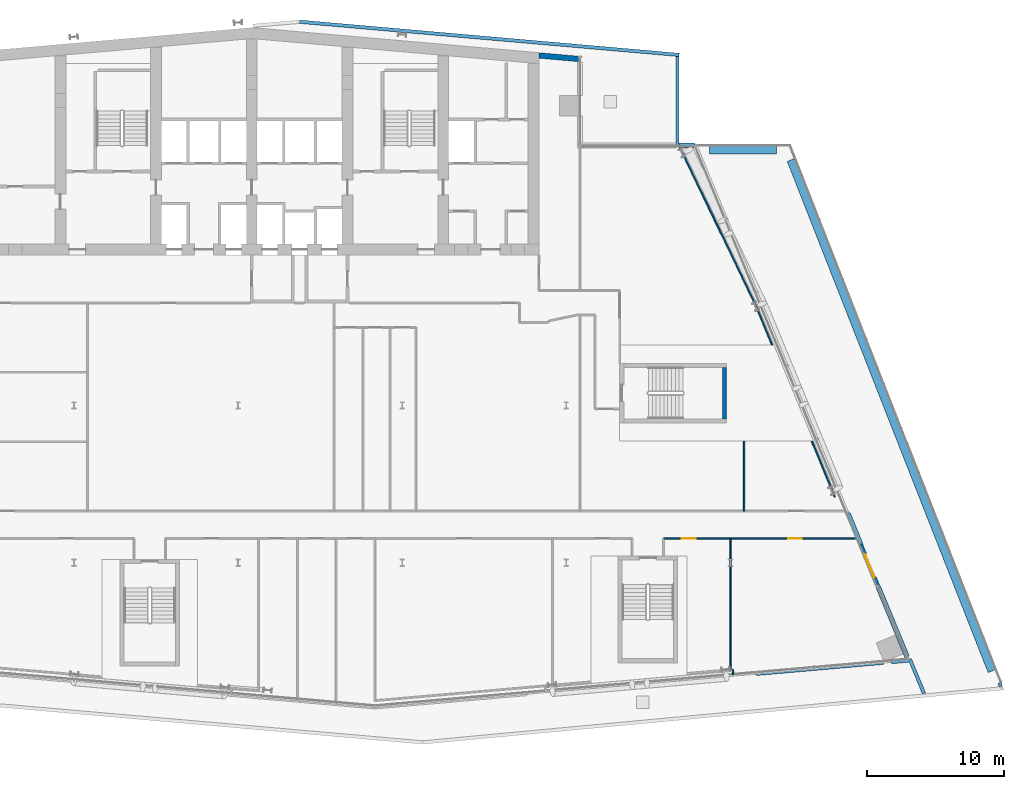
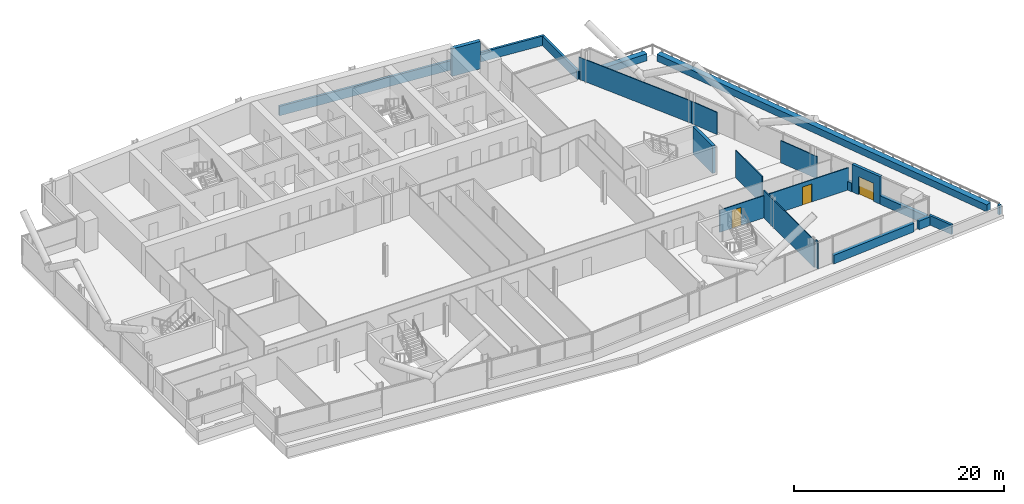
# One storey, part 22 of 30: 21 walls, 3 doors, 3 openings.
"""IFC4 building model written with IfcOpenShell, lengths in metres."""

from ifc_helpers import new_model, si_unit, direction, frame, frame_2d, origin, place, context, subcontext, project, spatial, rectangle, extrude, material, layer, layer_set, type_object, element, fill, save


model = new_model("IFC4")

# Units and contexts
model_context = context("Model", 3, precision=1e-05, world=origin(), true_north=direction((0.0, 1.0)))
body_context = subcontext(model_context, "Body", "Model", "MODEL_VIEW")
ifc_project = project(units=[si_unit("LENGTHUNIT", "METRE"), si_unit("AREAUNIT", "SQUARE_METRE"), si_unit("VOLUMEUNIT", "CUBIC_METRE"), si_unit("PLANEANGLEUNIT", "RADIAN"), si_unit("MASSUNIT", "GRAM", prefix="KILO")], contexts=[model_context])

# Site, building, storey
site_placement = place(None, origin())
site = spatial("IfcSite", under=ifc_project, at=site_placement, CompositionType="ELEMENT")
building_placement = place(site_placement, origin())
building = spatial("IfcBuilding", under=site, at=building_placement, Name="Wharfspan Tower", CompositionType="ELEMENT")
storey_placement = place(building_placement, frame((0.0, 0.0, 151.899902)))
storey = spatial("IfcBuildingStorey", under=building, at=storey_placement, Name="L36", CompositionType="ELEMENT", Elevation=151.899902)

# Wall, openings, doors
ifc_material_1 = material(Name="Gypsum board on steel studs", Category="steel")
ifc_layer_1 = layer(ifc_material_1, 0.100098)
ifc_layer_set_1 = layer_set([ifc_layer_1], Name="Gypsum board on steel studs")
wall_type_1 = type_object("IfcWallType", Name="Compartment wall 100 EI 60", PredefinedType="PARTITIONING", material=ifc_layer_set_1)
wall_1_placement = place(storey_placement, frame((67.110107, 13.264893, 0.0), z_axis=(0.0, 0.0, 1.0), x_axis=(1.0, 0.0, 0.0)))
wall_1 = element("IfcWall", 1, at=wall_1_placement, inside=storey, type_object=wall_type_1, Name="Partition L36.w054", PredefinedType="PARTITIONING", context=body_context, shape_type="SweptSolid", body=[
    extrude(rectangle(XDim=14.208496, YDim=0.100098, at=frame_2d((7.104248, 0.0))), origin(), (0.0, 0.0, 1.0), 2.580078),
])
opening_1_placement = place(wall_1_placement, frame((1.340088, 0.0, 0.0)))
opening_1 = element("IfcOpeningElement", 2, at=opening_1_placement, cuts=wall_1, Name="Opening C1-09", PredefinedType="OPENING", context=body_context, shape_type="SweptSolid", body=[
    extrude(rectangle(XDim=1.0, YDim=2.100098, at=frame_2d((0.5, 1.050049))), frame((0.0, 0.060059, 0.0), z_axis=(0.0, -1.0, 0.0), x_axis=(1.0, 0.0, 0.0)), (0.0, 0.0, 1.0), 0.120117),
])
opening_2_placement = place(wall_1_placement, frame((9.11499, 0.0, 0.0)))
opening_2 = element("IfcOpeningElement", 3, at=opening_2_placement, cuts=wall_1, Name="Opening C1-10", PredefinedType="OPENING", context=body_context, shape_type="SweptSolid", body=[
    extrude(rectangle(XDim=1.0, YDim=2.100098, at=frame_2d((0.5, 1.050049))), frame((0.0, 0.060059, 0.0), z_axis=(0.0, -1.0, 0.0), x_axis=(1.0, 0.0, 0.0)), (0.0, 0.0, 1.0), 0.120117),
])
ifc_material_2 = material(Name="Fire-rated timber door leaf in steel frame", Category="steel")
door_type_1 = type_object("IfcDoorType", Name="Door 1000 FD30S Left", OperationType="SINGLE_SWING_LEFT", PredefinedType="DOOR", material=ifc_material_2)
door_1_placement = place(opening_1_placement, origin())
door_1 = element("IfcDoor", 4, at=door_1_placement, inside=storey, type_object=door_type_1, Name="Door C1-09", OperationType="SINGLE_SWING_LEFT", OverallHeight=2.100098, OverallWidth=1.0, PredefinedType="DOOR", context=body_context, shape_type="SweptSolid", body=[
    extrude(rectangle(XDim=1.0, YDim=2.100098, at=frame_2d((0.5, 1.050049))), frame((0.0, 0.024902, 0.0), z_axis=(0.0, -1.0, 0.0), x_axis=(1.0, 0.0, 0.0)), (0.0, 0.0, 1.0), 0.050049),
])
fill(opening_1, door_1)
door_type_2 = type_object("IfcDoorType", Name="Door 1000 FD30S Right", OperationType="SINGLE_SWING_RIGHT", PredefinedType="DOOR", material=ifc_material_2)
door_2_placement = place(opening_2_placement, origin())
door_2 = element("IfcDoor", 5, at=door_2_placement, inside=storey, type_object=door_type_2, Name="Door C1-10", OperationType="SINGLE_SWING_RIGHT", OverallHeight=2.100098, OverallWidth=1.0, PredefinedType="DOOR", context=body_context, shape_type="SweptSolid", body=[
    extrude(rectangle(XDim=1.0, YDim=2.100098, at=frame_2d((0.5, 1.050049))), frame((0.0, 0.024902, 0.0), z_axis=(0.0, -1.0, 0.0), x_axis=(1.0, 0.0, 0.0)), (0.0, 0.0, 1.0), 0.050049),
])
fill(opening_2, door_2)

# Walls
wall_2_placement = place(storey_placement, frame((72.0, 3.679932, 0.0), z_axis=(0.0, 0.0, 1.0), x_axis=(0.0, 1.0, 0.0)))
element("IfcWall", 6, at=wall_2_placement, inside=storey, type_object=wall_type_1, Name="Partition L36.w056", PredefinedType="PARTITIONING", context=body_context, shape_type="SweptSolid", body=[
    extrude(rectangle(XDim=9.584961, YDim=0.100098, at=frame_2d((4.79248, 0.0))), origin(), (0.0, 0.0, 1.0), 3.200195),
])
wall_3_placement = place(storey_placement, frame((73.0, 15.27002, 0.0), z_axis=(0.0, 0.0, 1.0), x_axis=(0.0, 1.0, 0.0)))
element("IfcWall", 7, at=wall_3_placement, inside=storey, type_object=wall_type_1, Name="Partition L36.w058", PredefinedType="PARTITIONING", context=body_context, shape_type="SweptSolid", body=[
    extrude(rectangle(XDim=5.109863, YDim=0.100098, at=frame_2d((2.554932, 0.0))), origin(), (0.0, 0.0, 1.0), 3.200195),
])

# Wall, opening, door
ifc_material_3 = material(Name="Concrete C40/50", Category="concrete")
ifc_layer_2 = layer(ifc_material_3, 0.300049)
ifc_layer_set_2 = layer_set([ifc_layer_2], Name="Concrete C40/50")
wall_type_2 = type_object("IfcWallType", Name="External door wall 300", PredefinedType="SOLIDWALL", material=ifc_layer_set_2)
wall_4_placement = place(storey_placement, frame((81.518066, 12.833984, 0.0), z_axis=(0.0, 0.0, 1.0), x_axis=(0.381594, -0.924328, 0.0)))
wall_4 = element("IfcWall", 8, at=wall_4_placement, inside=storey, type_object=wall_type_2, Name="Terrace door wall T2E", PredefinedType="SOLIDWALL", context=body_context, shape_type="SweptSolid", body=[
    extrude(rectangle(XDim=3.399902, YDim=0.300049, at=frame_2d((1.699951, 0.0))), origin(), (0.0, 0.0, 1.0), 3.200195),
])
opening_3_placement = place(wall_4_placement, frame((0.800049, 0.0, 0.0)))
opening_3 = element("IfcOpeningElement", 9, at=opening_3_placement, cuts=wall_4, Name="Opening TD-L36", PredefinedType="OPENING", context=body_context, shape_type="SweptSolid", body=[
    extrude(rectangle(XDim=1.800049, YDim=2.100098, at=frame_2d((0.899902, 1.050049))), frame((0.0, 0.159912, 0.0), z_axis=(0.0, -1.0, 0.0), x_axis=(1.0, 0.0, 0.0)), (0.0, 0.0, 1.0), 0.320068),
])
ifc_material_4 = material(Name="Fire-rated glazed door leaf in steel frame", Category="steel")
door_type_3 = type_object("IfcDoorType", Name="Terrace door 1800 FD30S", OperationType="DOUBLE_DOOR_SINGLE_SWING", PredefinedType="DOOR", material=ifc_material_4)
door_3_placement = place(opening_3_placement, origin())
door_3 = element("IfcDoor", 10, at=door_3_placement, inside=storey, type_object=door_type_3, Name="Terrace door L36", OperationType="DOUBLE_DOOR_SINGLE_SWING", OverallHeight=2.100098, OverallWidth=1.800049, PredefinedType="DOOR", context=body_context, shape_type="SweptSolid", body=[
    extrude(rectangle(XDim=1.800049, YDim=2.100098, at=frame_2d((0.899902, 1.050049))), frame((0.0, 0.024902, 0.0), z_axis=(0.0, -1.0, 0.0), x_axis=(1.0, 0.0, 0.0)), (0.0, 0.0, 1.0), 0.050049),
])
fill(opening_3, door_3)

# Walls
ifc_layer_3 = layer(ifc_material_3, 0.25)
ifc_layer_set_3 = layer_set([ifc_layer_3], Name="Concrete C40/50")
wall_type_3 = type_object("IfcWallType", Name="PARAPET CONCRETE 250", PredefinedType="PARAPET", material=ifc_layer_set_3)
wall_5_placement = place(storey_placement, frame((85.115479, 4.447754, 0.0), z_axis=(0.0, 0.0, 1.0), x_axis=(0.381619, -0.924318, 0.0)))
element("IfcWall", 11, at=wall_5_placement, inside=storey, type_object=wall_type_3, Name="Ledge parapet", PredefinedType="PARAPET", context=body_context, shape_type="SweptSolid", body=[
    extrude(rectangle(XDim=2.709961, YDim=0.25, at=frame_2d((1.35498, 0.0))), origin(), (0.0, 0.0, 1.0), 1.100098),
])
wall_6_placement = place(storey_placement, frame((40.5, 51.056396, 0.0), z_axis=(0.0, 0.0, 1.0), x_axis=(0.996199, -0.087155, 0.0)))
element("IfcWall", 12, at=wall_6_placement, inside=storey, type_object=wall_type_3, Name="Ledge parapet", PredefinedType="PARAPET", context=body_context, shape_type="SweptSolid", body=[
    extrude(rectangle(XDim=27.855469, YDim=0.25, at=frame_2d((13.927734, 0.0))), origin(), (0.0, 0.0, 1.0), 1.100098),
])
wall_7_placement = place(storey_placement, frame((68.125, 48.504395, 0.0), z_axis=(0.0, 0.0, 1.0), x_axis=(0.0, -1.0, 0.0)))
element("IfcWall", 13, at=wall_7_placement, inside=storey, type_object=wall_type_3, Name="Ledge parapet", PredefinedType="PARAPET", context=body_context, shape_type="SweptSolid", body=[
    extrude(rectangle(XDim=6.504395, YDim=0.25, at=frame_2d((3.252197, 0.0))), origin(), (0.0, 0.0, 1.0), 1.100098),
])
wall_8_placement = place(storey_placement, frame((91.762939, 2.461426, 0.0), z_axis=(0.0, 0.0, 1.0), x_axis=(-0.365457, 0.93083, 0.0)))
element("IfcWall", 14, at=wall_8_placement, inside=storey, type_object=wall_type_3, Name="Ledge parapet", PredefinedType="PARAPET", context=body_context, shape_type="SweptSolid", body=[
    extrude(rectangle(XDim=0.269775, YDim=0.25, at=frame_2d((0.134766, 0.0))), origin(), (0.0, 0.0, 1.0), 1.100098),
])
ifc_layer_4 = layer(ifc_material_3, 0.600098)
ifc_layer_set_4 = layer_set([ifc_layer_4], Name="Concrete C40/50")
wall_type_4 = type_object("IfcWallType", Name="PLANTER CONCRETE 600", PredefinedType="SOLIDWALL", material=ifc_layer_set_4)
wall_9_placement = place(storey_placement, frame((70.477051, 41.679932, 0.0), z_axis=(0.0, 0.0, 1.0), x_axis=(1.0, 0.0, 0.0)))
element("IfcWall", 15, at=wall_9_placement, inside=storey, type_object=wall_type_4, Name="Planter", PredefinedType="SOLIDWALL", context=body_context, shape_type="SweptSolid", body=[
    extrude(rectangle(XDim=4.881104, YDim=0.600098, at=frame_2d((2.44043, 0.0))), origin(), (0.0, 0.0, 1.0), 0.800049),
])
wall_10_placement = place(storey_placement, frame((76.426025, 40.952148, 0.0), z_axis=(0.0, 0.0, 1.0), x_axis=(0.365779, -0.930702, 0.0)))
element("IfcWall", 16, at=wall_10_placement, inside=storey, type_object=wall_type_4, Name="Planter", PredefinedType="SOLIDWALL", context=body_context, shape_type="SweptSolid", body=[
    extrude(rectangle(XDim=40.16333, YDim=0.600098, at=frame_2d((20.081543, 0.0))), origin(), (0.0, 0.0, 1.0), 0.800049),
])
ifc_layer_5 = layer(ifc_material_1, 0.100098)
ifc_layer_set_5 = layer_set([ifc_layer_5], Name="Gypsum board on steel studs")
wall_type_5 = type_object("IfcWallType", Name="Partition 100", PredefinedType="PARTITIONING", material=ifc_layer_set_5)
wall_11_placement = place(storey_placement, frame((72.198242, 3.300049, 0.0), z_axis=(0.0, 0.0, 1.0), x_axis=(-0.083759, 0.996486, 0.0)))
element("IfcWall", 17, at=wall_11_placement, inside=storey, type_object=wall_type_5, Name="Partition L36.w057", PredefinedType="PARTITIONING", context=body_context, shape_type="SweptSolid", body=[
    extrude(rectangle(XDim=0.396484, YDim=0.100098, at=frame_2d((0.198242, 0.0))), origin(), (0.0, 0.0, 1.0), 3.200195),
])
wall_12_placement = place(storey_placement, frame((73.88501, 30.22998, 0.0), z_axis=(0.0, 0.0, 1.0), x_axis=(-0.432489, 0.901635, 0.0)))
element("IfcWall", 18, at=wall_12_placement, inside=storey, type_object=wall_type_5, Name="Partition L36.w059", PredefinedType="PARTITIONING", context=body_context, shape_type="SweptSolid", body=[
    extrude(rectangle(XDim=13.067139, YDim=0.100098, at=frame_2d((6.533691, 0.0))), origin(), (0.0, 0.0, 1.0), 2.580078),
])
wall_13_placement = place(storey_placement, frame((75.046631, 27.419922, 0.0), z_axis=(0.0, 0.0, 1.0), x_axis=(-0.382024, 0.924148, 0.0)))
element("IfcWall", 19, at=wall_13_placement, inside=storey, type_object=wall_type_5, Name="Partition L36.w060", PredefinedType="PARTITIONING", context=body_context, shape_type="SweptSolid", body=[
    extrude(rectangle(XDim=3.040771, YDim=0.100098, at=frame_2d((1.520508, 0.0))), origin(), (0.0, 0.0, 1.0), 2.580078),
])
wall_14_placement = place(storey_placement, frame((79.629883, 16.310059, 0.0), z_axis=(0.0, 0.0, 1.0), x_axis=(-0.380933, 0.9246, 0.0)))
element("IfcWall", 20, at=wall_14_placement, inside=storey, type_object=wall_type_5, Name="Partition L36.w061", PredefinedType="PARTITIONING", context=body_context, shape_type="SweptSolid", body=[
    extrude(rectangle(XDim=4.401611, YDim=0.100098, at=frame_2d((2.200684, 0.0))), origin(), (0.0, 0.0, 1.0), 2.580078),
])
ifc_layer_6 = layer(ifc_material_3, 0.350098)
ifc_layer_set_6 = layer_set([ifc_layer_6], Name="Concrete C40/50")
wall_type_6 = type_object("IfcWallType", Name="SPANDREL EXPOSED CONCRETE 350", PredefinedType="SOLIDWALL", material=ifc_layer_set_6)
wall_15_placement = place(storey_placement, frame((73.887451, 3.422852, 0.0), z_axis=(0.0, 0.0, 1.0), x_axis=(0.996197, 0.087145, 0.0)))
element("IfcWall", 21, at=wall_15_placement, inside=storey, type_object=wall_type_6, Name="Spandrel upstand L36 S2 2", PredefinedType="SOLIDWALL", context=body_context, shape_type="SweptSolid", body=[
    extrude(rectangle(XDim=9.323486, YDim=0.350098, at=frame_2d((4.661621, 0.0))), origin(), (0.0, 0.0, 1.0), 1.0),
])
wall_16_placement = place(storey_placement, frame((83.744629, 4.285156, 0.0), z_axis=(0.0, 0.0, 1.0), x_axis=(0.996198, 0.087148, 0.0)))
element("IfcWall", 22, at=wall_16_placement, inside=storey, type_object=wall_type_6, Name="Spandrel upstand L36 S2 3", PredefinedType="SOLIDWALL", context=body_context, shape_type="SweptSolid", body=[
    extrude(rectangle(XDim=1.260742, YDim=0.350098, at=frame_2d((0.630371, 0.0))), origin(), (0.0, 0.0, 1.0), 1.0),
])
wall_17_placement = place(storey_placement, frame((84.91626, 4.615967, 0.0), z_axis=(0.0, 0.0, 1.0), x_axis=(-0.381607, 0.924328, 0.0)))
element("IfcWall", 23, at=wall_17_placement, inside=storey, type_object=wall_type_6, Name="Spandrel upstand L36 E", PredefinedType="SOLIDWALL", context=body_context, shape_type="SweptSolid", body=[
    extrude(rectangle(XDim=5.493164, YDim=0.350098, at=frame_2d((2.746582, 0.0))), origin(), (0.0, 0.0, 1.0), 1.0),
])
wall_18_placement = place(storey_placement, frame((81.522705, 12.835938, 0.0), z_axis=(0.0, 0.0, 1.0), x_axis=(-0.381585, 0.924332, 0.0)))
element("IfcWall", 24, at=wall_18_placement, inside=storey, type_object=wall_type_6, Name="Spandrel upstand L36 E 2", PredefinedType="SOLIDWALL", context=body_context, shape_type="SweptSolid", body=[
    extrude(rectangle(XDim=2.467773, YDim=0.350098, at=frame_2d((1.233887, 0.0))), origin(), (0.0, 0.0, 1.0), 1.0),
])
wall_19_placement = place(storey_placement, frame((69.366211, 42.004883, 0.0), z_axis=(0.0, 0.0, 1.0), x_axis=(-1.0, 0.0, 0.0)))
element("IfcWall", 25, at=wall_19_placement, inside=storey, type_object=wall_type_6, Name="Spandrel upstand L36 NRE-H", PredefinedType="SOLIDWALL", context=body_context, shape_type="SweptSolid", body=[
    extrude(rectangle(XDim=1.116211, YDim=0.350098, at=frame_2d((0.558105, 0.0))), origin(), (0.0, 0.0, 1.0), 1.0),
])
ifc_layer_7 = layer(ifc_material_3, 0.300049)
ifc_layer_set_7 = layer_set([ifc_layer_7], Name="Concrete C40/50")
wall_type_7 = type_object("IfcWallType", Name="Stair core wall 300", PredefinedType="SHEAR", material=ifc_layer_set_7)
wall_20_placement = place(storey_placement, frame((71.554688, 22.024902, 0.0), z_axis=(0.0, 0.0, 1.0), x_axis=(0.0, 1.0, 0.0)))
element("IfcWall", 26, at=wall_20_placement, inside=storey, type_object=wall_type_7, Name="ST6 stair enclosure wall L36", PredefinedType="SHEAR", context=body_context, shape_type="SweptSolid", body=[
    extrude(rectangle(XDim=3.75, YDim=0.300049, at=frame_2d((1.875, 0.0))), origin(), (0.0, 0.0, 1.0), 3.200195),
])
ifc_layer_8 = layer(ifc_material_3, 0.399902)
ifc_layer_set_8 = layer_set([ifc_layer_8], Name="Concrete C40/50")
wall_type_8 = type_object("IfcWallType", Name="WALL EXPOSED CONCRETE 400", PredefinedType="SOLIDWALL", material=ifc_layer_set_8)
wall_21_placement = place(storey_placement, frame((60.982666, 48.325684, 0.0), z_axis=(0.0, 0.0, 1.0), x_axis=(-0.996194, 0.087168, 0.0)))
element("IfcWall", 27, at=wall_21_placement, inside=storey, type_object=wall_type_8, Name="Rear wall N2", PredefinedType="SOLIDWALL", context=body_context, shape_type="SweptSolid", body=[
    extrude(rectangle(XDim=2.994141, YDim=0.399902, at=frame_2d((1.49707, 0.0))), origin(), (0.0, 0.0, 1.0), 3.200195),
])

save(model, "model.ifc")
